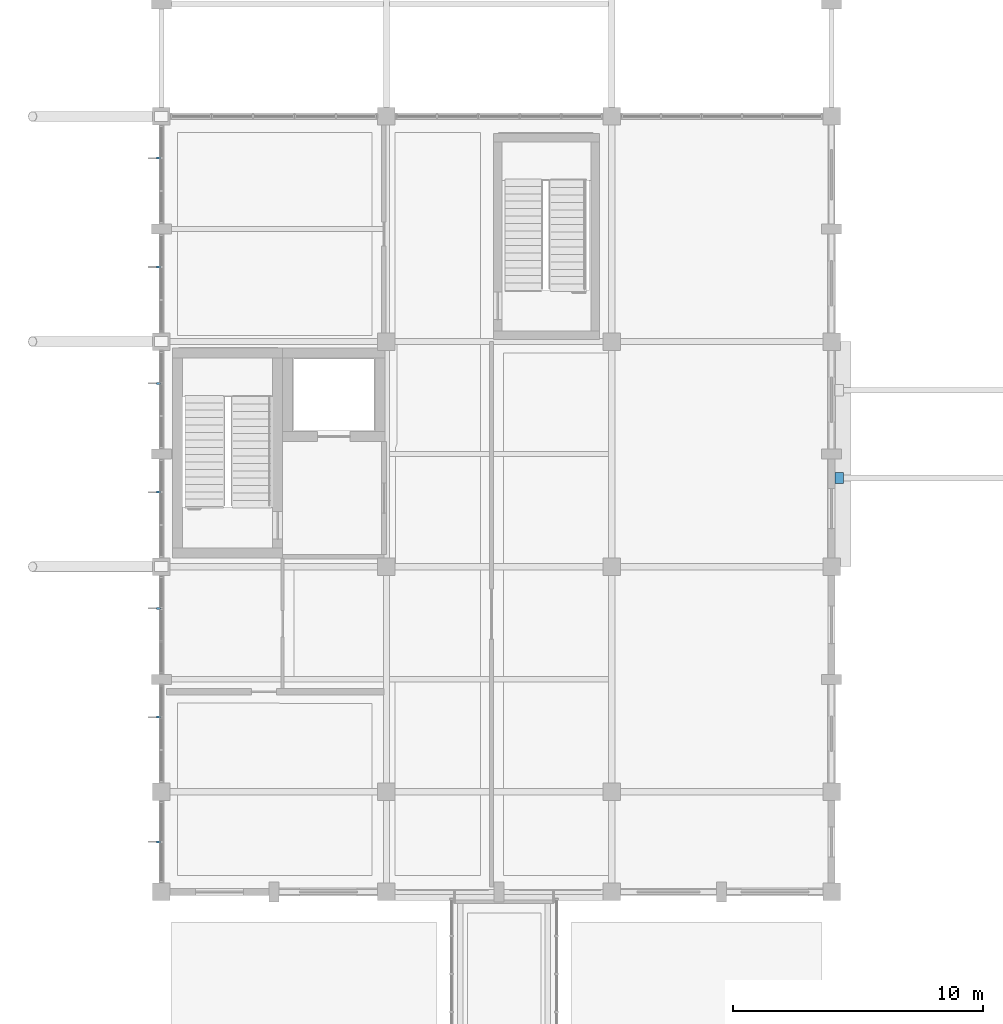
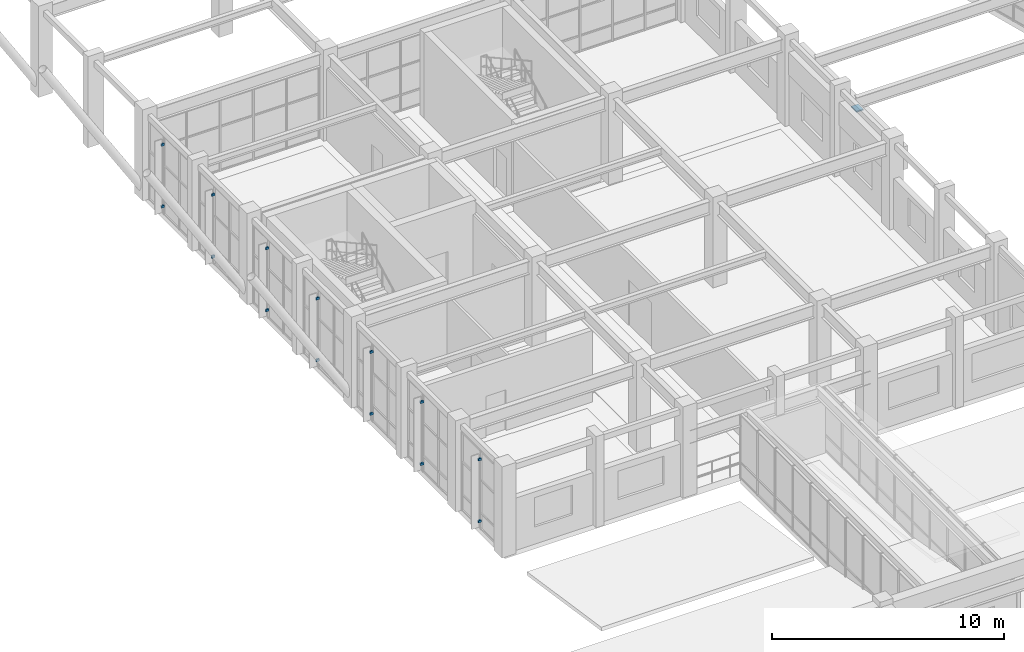
# One storey, part 90 of 104: 15 discrete accessories.
"""IFC4 building model written with IfcOpenShell, lengths in metres."""

from ifc_helpers import new_model, si_unit, direction, frame, origin, origin_2d, place, context, subcontext, project, spatial, rectangle, extrude, material, type_object, element, save


model = new_model("IFC4")

# Units and contexts
model_context = context("Model", 3, precision=1e-05, world=origin(), true_north=direction((0.0, 1.0)))
body_context = subcontext(model_context, "Body", "Model", "MODEL_VIEW")
ifc_project = project(units=[si_unit("LENGTHUNIT", "METRE"), si_unit("AREAUNIT", "SQUARE_METRE"), si_unit("VOLUMEUNIT", "CUBIC_METRE"), si_unit("PLANEANGLEUNIT", "RADIAN"), si_unit("MASSUNIT", "GRAM", prefix="KILO")], contexts=[model_context])

# Site, building, storey
site_placement = place(None, origin())
site = spatial("IfcSite", under=ifc_project, at=site_placement, CompositionType="ELEMENT")
building_placement = place(site_placement, origin())
building = spatial("IfcBuilding", under=site, at=building_placement, Name="Ventoquebrada Cableway Terminal", CompositionType="ELEMENT")
storey_placement = place(building_placement, frame((0.0, 0.0, 4.800048828125)))
storey = spatial("IfcBuildingStorey", under=building, at=storey_placement, Name="L01", CompositionType="ELEMENT", Elevation=4.800048828125)

# Discrete accessories
ifc_material_1 = material(Name="Anodized thermally-broken aluminium", Category="aluminium")
discrete_accessory_type_1 = type_object("IfcDiscreteAccessoryType", Name="BRK-01", PredefinedType="BRACKET", material=ifc_material_1)
for number, where, z_axis, x_axis, name in (
    (1, (8.080078125, 66.0, 0.389892578125), (0.0, 0.0, 1.0), (0.0, -1.0, 0.0), "Sunshade bracket FN-006"),
    (2, (8.080078125, 66.0, 3.64990234375), (0.0, 0.0, 1.0), (0.0, -1.0, 0.0), "Sunshade bracket FN-006"),
    (3, (8.080078125, 75.33203125, 0.389892578125), (0.0, 0.0, 1.0), (0.0, -1.0, 0.0), "Sunshade bracket FN-007"),
    (4, (8.080078125, 75.33203125, 3.64990234375), (0.0, 0.0, 1.0), (0.0, -1.0, 0.0), "Sunshade bracket FN-007"),
    (5, (8.080078125, 70.98193359375, 0.389892578125), (0.0, 0.0, 1.0), (0.0, -1.0, 0.0), "Sunshade bracket FN-008"),
    (6, (8.080078125, 70.98193359375, 3.64990234375), (0.0, 0.0, 1.0), (0.0, -1.0, 0.0), "Sunshade bracket FN-008"),
    (7, (8.080078125, 84.33203125, 0.389892578125), (0.0, 0.0, 1.0), (0.0, -1.0, 0.0), "Sunshade bracket FN-009"),
    (8, (8.080078125, 84.33203125, 3.64990234375), (0.0, 0.0, 1.0), (0.0, -1.0, 0.0), "Sunshade bracket FN-009"),
    (9, (8.080078125, 79.98193359375, 0.389892578125), (0.0, 0.0, 1.0), (0.0, -1.0, 0.0), "Sunshade bracket FN-010"),
    (10, (8.080078125, 79.98193359375, 3.64990234375), (0.0, 0.0, 1.0), (0.0, -1.0, 0.0), "Sunshade bracket FN-010"),
    (11, (8.080078125, 93.33203125, 0.389892578125), (0.0, 0.0, 1.0), (0.0, -1.0, 0.0), "Sunshade bracket FN-011"),
    (12, (8.080078125, 93.33203125, 3.64990234375), (0.0, 0.0, 1.0), (0.0, -1.0, 0.0), "Sunshade bracket FN-011"),
    (13, (8.080078125, 88.98193359375, 0.389892578125), (0.0, 0.0, 1.0), (0.0, -1.0, 0.0), "Sunshade bracket FN-012"),
    (14, (8.080078125, 88.98193359375, 3.64990234375), (0.0, 0.0, 1.0), (0.0, -1.0, 0.0), "Sunshade bracket FN-012"),
):
    element("IfcDiscreteAccessory", number, at=place(storey_placement, frame(where, z_axis=z_axis, x_axis=x_axis)), inside=storey, type_object=discrete_accessory_type_1, Name=name, PredefinedType="BRACKET", context=body_context, shape_type="SweptSolid", body=[
        extrude(rectangle(XDim=0.080078125, YDim=0.159912109375, at=origin_2d()), origin(), (0.0, 0.0, 1.0), 0.1201171875),
    ])
ifc_material_2 = material(Name="Elastomeric PTFE bearing assembly")
discrete_accessory_type_2 = type_object("IfcDiscreteAccessoryType", Name="SB-1", PredefinedType="SHOE", material=ifc_material_2)
discrete_accessory_placement = place(storey_placement, frame((35.300048828125, 80.550048828125, 3.802490234375), z_axis=(0.0, 0.0, 1.0), x_axis=(1.0, 0.0, 0.0)))
element("IfcDiscreteAccessory", 15, at=discrete_accessory_placement, inside=storey, type_object=discrete_accessory_type_2, Name="Unguided PTFE sliding bearing SB-1 (LP-2)", PredefinedType="SHOE", context=body_context, shape_type="SweptSolid", body=[
    extrude(rectangle(XDim=0.35009765625, YDim=0.449951171875, at=origin_2d()), origin(), (0.0, 0.0, 1.0), 0.06494140625),
])

save(model, "model.ifc")
